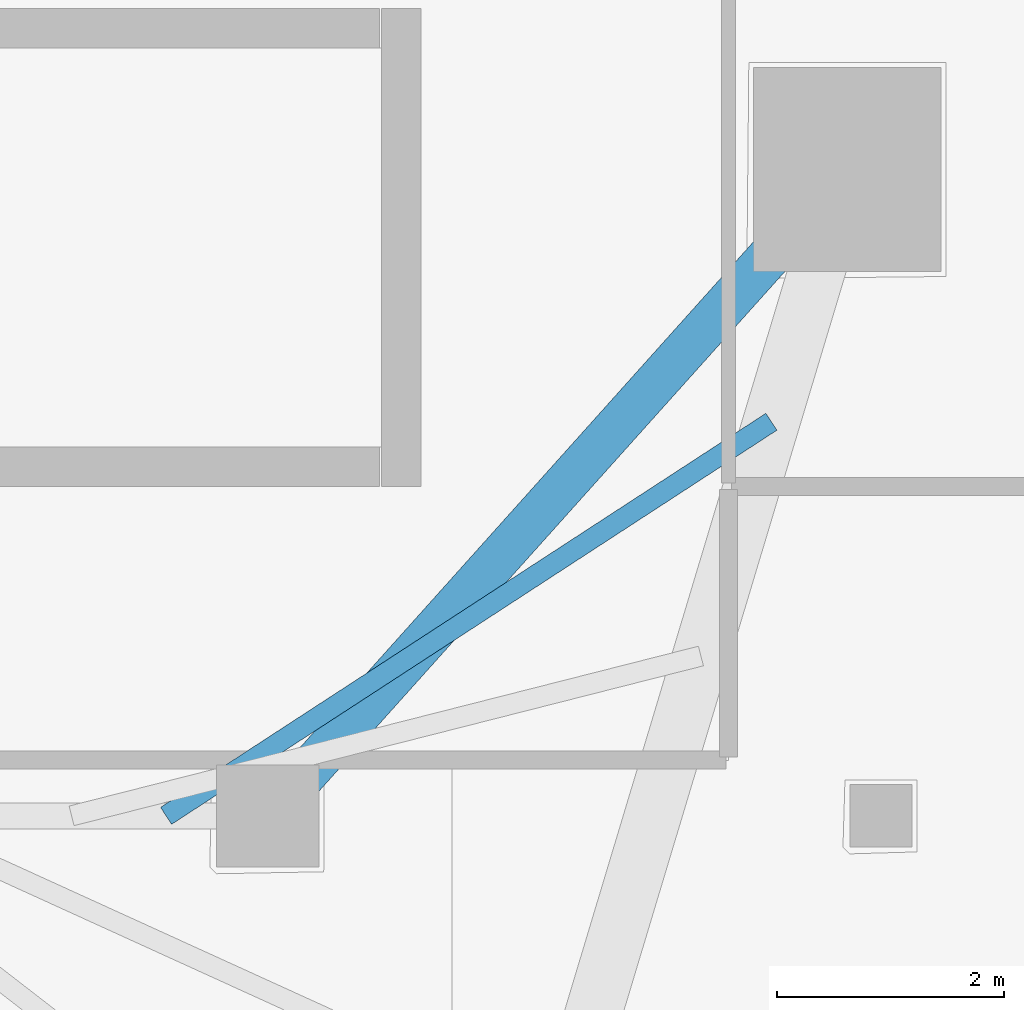
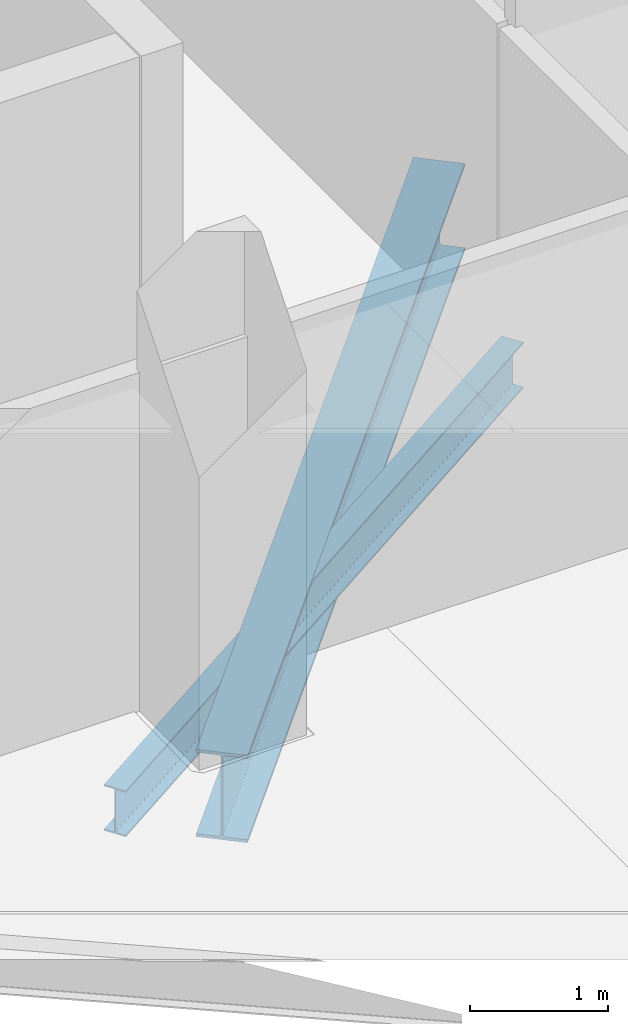
# One storey, part 11 of 30: 2 beams.
"""IFC4 building model written with IfcOpenShell, lengths in metres."""

from ifc_helpers import new_model, si_unit, direction, frame, origin, origin_2d, place, context, subcontext, project, spatial, i_section, extrude, material, material_profile, profile_set, type_object, element, save


model = new_model("IFC4")

# Units and contexts
model_context = context("Model", 3, precision=1e-05, world=origin(), true_north=direction((0.0, 1.0)))
body_context = subcontext(model_context, "Body", "Model", "MODEL_VIEW")
ifc_project = project(units=[si_unit("LENGTHUNIT", "METRE"), si_unit("AREAUNIT", "SQUARE_METRE"), si_unit("VOLUMEUNIT", "CUBIC_METRE"), si_unit("PLANEANGLEUNIT", "RADIAN"), si_unit("MASSUNIT", "GRAM", prefix="KILO")], contexts=[model_context])

# Site, building, storey
site_placement = place(None, origin())
site = spatial("IfcSite", under=ifc_project, at=site_placement, CompositionType="ELEMENT")
building_placement = place(site_placement, origin())
building = spatial("IfcBuilding", under=site, at=building_placement, Name="Qorvath Tower", CompositionType="ELEMENT")
storey_placement = place(building_placement, frame((0.0, 0.0, 217.199951171875)))
storey = spatial("IfcBuildingStorey", under=building, at=storey_placement, Name="L50", CompositionType="ELEMENT", Elevation=217.199951171875)

# Beams
ifc_material_1 = material(Name="Steel ASTM A992 Grade 50", Category="steel")
ifc_material_profile_1 = material_profile(ifc_material_1, i_section(OverallWidth=0.381103515625, OverallDepth=0.77294921875, WebThickness=0.0166015625, FlangeThickness=0.027099609375, FilletRadius=0.01904296875, at=origin_2d()), Name="W30x173")
ifc_profile_set_1 = profile_set([ifc_material_profile_1], Name="Steel ASTM A992 Grade 50")
beam_type_1 = type_object("IfcBeamType", Name="BM-FG3", PredefinedType="BEAM", material=ifc_profile_set_1)
beam_1_placement = place(storey_placement, frame((-17.199951171875, -11.449951171875, -0.656494140625), z_axis=(0.667543184261, 0.744571082669, 0.0), x_axis=(-0.744571082669, 0.667543184261, 0.0)))
element("IfcBeam", 1, at=beam_1_placement, inside=storey, type_object=beam_type_1, Name="Radial Floor Girder CC3-MC4 L50", PredefinedType="BEAM", context=body_context, shape_type="SweptSolid", body=[
    extrude(i_section(OverallWidth=0.381103515625, OverallDepth=0.77294921875, WebThickness=0.0166015625, FlangeThickness=0.027099609375, FilletRadius=0.01904296875, at=origin_2d()), origin(), (0.0, 0.0, 1.0), 7.644775390625),
])
ifc_material_2 = material(Name="Steel ASTM A992 Grade 50", Category="steel")
ifc_material_profile_2 = material_profile(ifc_material_2, i_section(OverallWidth=0.177978515625, OverallDepth=0.406005859375, WebThickness=0.0078125, FlangeThickness=0.0126953125, FilletRadius=0.010986328125, at=origin_2d()), Name="W16x40")
ifc_profile_set_2 = profile_set([ifc_material_profile_2], Name="Steel ASTM A992 Grade 50")
beam_type_2 = type_object("IfcBeamType", Name="BM-FJ3", PredefinedType="JOIST", material=ifc_profile_set_2)
beam_2_placement = place(storey_placement, frame((-18.095947265625, -11.449951171875, -0.47314453125), z_axis=(0.838041756057, 0.545606098853, 0.0), x_axis=(-0.545606098853, 0.838041756057, 0.0)))
element("IfcBeam", 2, at=beam_2_placement, inside=storey, type_object=beam_type_2, Name="Composite Floor Joist SE1 L50", PredefinedType="JOIST", context=body_context, shape_type="SweptSolid", body=[
    extrude(i_section(OverallWidth=0.177978515625, OverallDepth=0.406005859375, WebThickness=0.0078125, FlangeThickness=0.0126953125, FilletRadius=0.010986328125, at=origin_2d()), origin(), (0.0, 0.0, 1.0), 6.36083984375),
])

save(model, "model.ifc")
